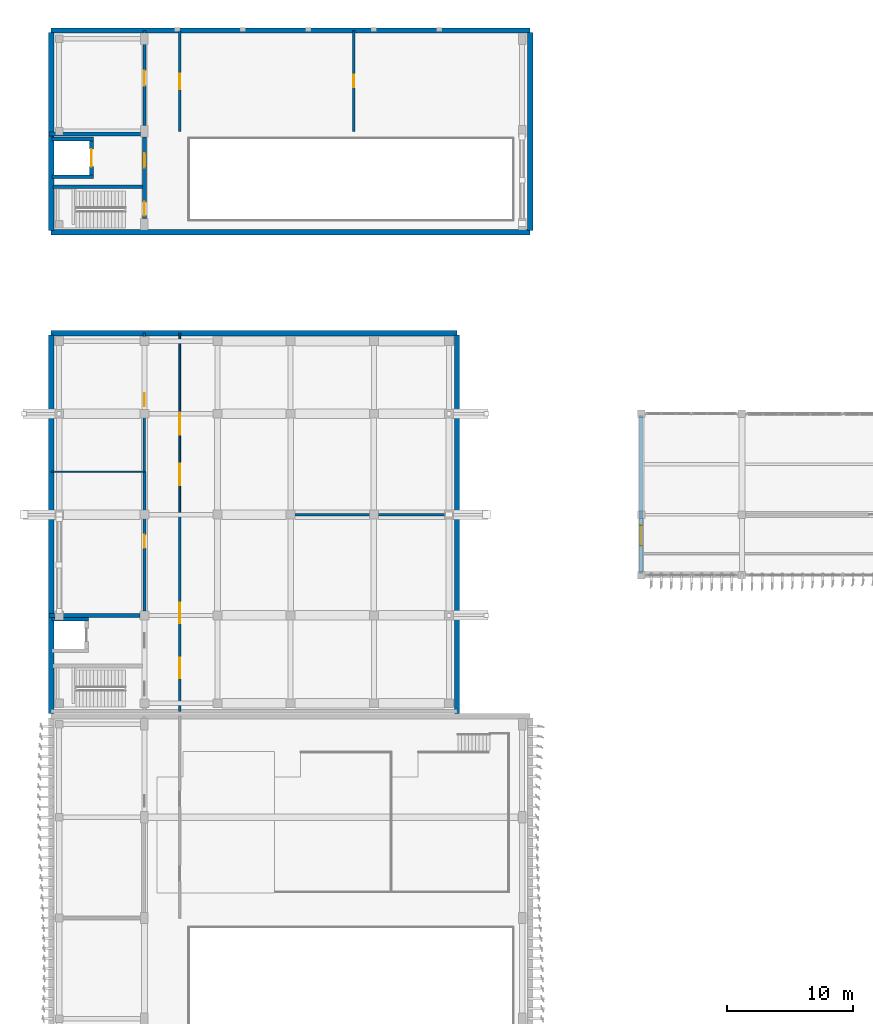
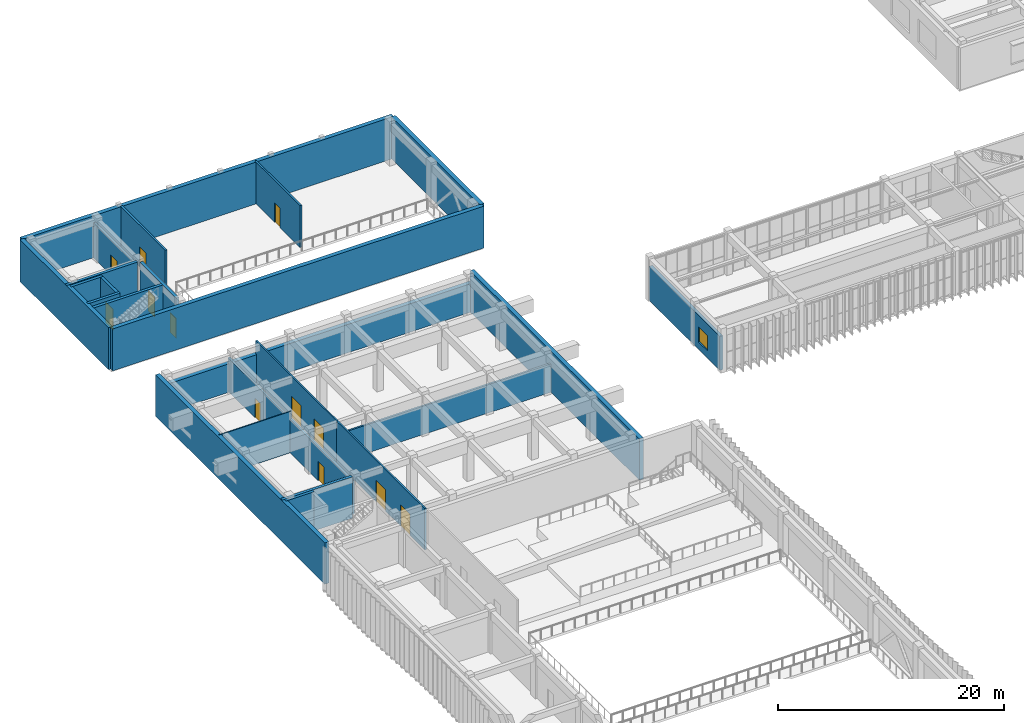
# One storey, part 40 of 64: 25 walls, 12 doors, 1 window, 13 openings.
"""IFC4 building model written with IfcOpenShell, lengths in metres."""

from ifc_helpers import new_model, si_unit, direction, frame, frame_2d, origin, place, context, subcontext, project, spatial, rectangle, extrude, material, layer, layer_set, type_object, element, fill, save


model = new_model("IFC4")

# Units and contexts
model_context = context("Model", 3, precision=1e-05, world=origin(), true_north=direction((0.0, 1.0)))
body_context = subcontext(model_context, "Body", "Model", "MODEL_VIEW")
ifc_project = project(units=[si_unit("LENGTHUNIT", "METRE"), si_unit("AREAUNIT", "SQUARE_METRE"), si_unit("VOLUMEUNIT", "CUBIC_METRE"), si_unit("PLANEANGLEUNIT", "RADIAN"), si_unit("MASSUNIT", "GRAM", prefix="KILO")], contexts=[model_context])

# Site, building, storey
site_placement = place(None, origin())
site = spatial("IfcSite", under=ifc_project, at=site_placement, CompositionType="ELEMENT")
building_placement = place(site_placement, origin())
building = spatial("IfcBuilding", under=site, at=building_placement, Name="Cinchona Park Media Centre", CompositionType="ELEMENT")
storey_placement = place(building_placement, frame((0.0, 0.0, 5.39990234375)))
storey = spatial("IfcBuildingStorey", under=building, at=storey_placement, Name="L01", CompositionType="ELEMENT", Elevation=5.39990234375)

# Walls
ifc_material_1 = material(Name="Precast concrete C40/50", Category="concrete")
ifc_layer_1 = layer(ifc_material_1, 0.425048828125)
ifc_layer_set_1 = layer_set([ifc_layer_1], Name="Precast concrete C40/50")
wall_type_1 = type_object("IfcWallType", Name="WALL-W-AC01", PredefinedType="SOLIDWALL", material=ifc_layer_set_1)
wall_1_placement = place(storey_placement, frame((8.0, 118.0, 0.0), z_axis=(0.0, 0.0, 1.0), x_axis=(1.0, 0.0, 0.0)))
element("IfcWall", 1, at=wall_1_placement, inside=storey, type_object=wall_type_1, Name="Exterior Wall W-AC01 V2 L01", PredefinedType="SOLIDWALL", context=body_context, shape_type="SweptSolid", body=[
    extrude(rectangle(XDim=38.0, YDim=0.425048828125, at=frame_2d((19.0, 0.0))), origin(), (0.0, 0.0, 1.0), 4.5400390625),
])
wall_2_placement = place(storey_placement, frame((46.0, 117.860107421875, 0.0), z_axis=(0.0, 0.0, 1.0), x_axis=(0.0, -1.0, 0.0)))
element("IfcWall", 2, at=wall_2_placement, inside=storey, type_object=wall_type_1, Name="Exterior Wall W-AC01 V2 L01", PredefinedType="SOLIDWALL", context=body_context, shape_type="SweptSolid", body=[
    extrude(rectangle(XDim=15.72021484375, YDim=0.425048828125, at=frame_2d((7.860107421875, 0.0))), origin(), (0.0, 0.0, 1.0), 4.5400390625),
])
wall_3_placement = place(storey_placement, frame((46.0, 102.0, 0.0), z_axis=(0.0, 0.0, 1.0), x_axis=(-1.0, 0.0, 0.0)))
element("IfcWall", 3, at=wall_3_placement, inside=storey, type_object=wall_type_1, Name="Exterior Wall W-AC01 V2 L01", PredefinedType="SOLIDWALL", context=body_context, shape_type="SweptSolid", body=[
    extrude(rectangle(XDim=38.0, YDim=0.425048828125, at=frame_2d((19.0, 0.0))), origin(), (0.0, 0.0, 1.0), 4.5400390625),
])
wall_4_placement = place(storey_placement, frame((8.0, 102.139892578125, 0.0), z_axis=(0.0, 0.0, 1.0), x_axis=(0.0, 1.0, 0.0)))
element("IfcWall", 4, at=wall_4_placement, inside=storey, type_object=wall_type_1, Name="Exterior Wall W-AC01 V2 L01", PredefinedType="SOLIDWALL", context=body_context, shape_type="SweptSolid", body=[
    extrude(rectangle(XDim=15.72021484375, YDim=0.425048828125, at=frame_2d((7.860107421875, 0.0))), origin(), (0.0, 0.0, 1.0), 4.5400390625),
])
wall_5_placement = place(storey_placement, frame((8.0, 94.0, 0.0), z_axis=(0.0, 0.0, 1.0), x_axis=(1.0, 0.0, 0.0)))
element("IfcWall", 5, at=wall_5_placement, inside=storey, type_object=wall_type_1, Name="Exterior Wall W-AC01 V4 L01", PredefinedType="SOLIDWALL", context=body_context, shape_type="SweptSolid", body=[
    extrude(rectangle(XDim=32.199951171875, YDim=0.425048828125, at=frame_2d((16.10009765625, 0.0))), origin(), (0.0, 0.0, 1.0), 3.0751953125),
])
for number, where, z_axis, x_axis, name in (
    (6, (40.199951171875, 93.860107421875, 0.0), (0.0, 0.0, 1.0), (0.0, -1.0, 0.0), "Exterior Wall W-AC01 V4 L01"),
    (7, (8.0, 63.818115234375, 0.0), (0.0, 0.0, 1.0), (0.0, 1.0, 0.0), "Exterior Wall W-AC01 V4 L01"),
):
    element("IfcWall", number, at=place(storey_placement, frame(where, z_axis=z_axis, x_axis=x_axis)), inside=storey, type_object=wall_type_1, Name=name, PredefinedType="SOLIDWALL", context=body_context, shape_type="SweptSolid", body=[
        extrude(rectangle(XDim=30.0419921875, YDim=0.425048828125, at=frame_2d((15.02099609375, 0.0))), origin(), (0.0, 0.0, 1.0), 4.47509765625),
    ])

# Wall, opening, door
ifc_material_2 = material(Name="Acoustic Double-Stud Gypsum Partition", Category="gypsum")
ifc_layer_2 = layer(ifc_material_2, 0.2099609375)
ifc_layer_set_2 = layer_set([ifc_layer_2], Name="Acoustic Double-Stud Gypsum Partition")
wall_type_2 = type_object("IfcWallType", Name="WALL-W-AC210", PredefinedType="PARTITIONING", material=ifc_layer_set_2)
wall_6_placement = place(storey_placement, frame((18.199951171875, 117.903076171875, 0.0), z_axis=(0.0, 0.0, 1.0), x_axis=(0.0, -1.0, 0.0)))
wall_6 = element("IfcWall", 8, at=wall_6_placement, inside=storey, type_object=wall_type_2, Name="Interior Wall W-AC210 L01", PredefinedType="PARTITIONING", context=body_context, shape_type="SweptSolid", body=[
    extrude(rectangle(XDim=7.903076171875, YDim=0.2099609375, at=frame_2d((3.95166015625, 0.0))), origin(), (0.0, 0.0, 1.0), 4.5400390625),
])
opening_1_placement = place(wall_6_placement, frame((3.342041015625, 0.0, 0.0)))
opening_1 = element("IfcOpeningElement", 9, at=opening_1_placement, cuts=wall_6, Name="Opening D234", PredefinedType="OPENING", context=body_context, shape_type="SweptSolid", body=[
    extrude(rectangle(XDim=1.219970703125, YDim=2.199951171875, at=frame_2d((0.60986328125, 1.10009765625))), frame((0.0, 0.114990234375, 0.0), z_axis=(0.0, -1.0, 0.0), x_axis=(1.0, 0.0, 0.0)), (0.0, 0.0, 1.0), 0.22998046875),
])
ifc_material_3 = material(Name="Fire-Rated Acoustic Timber-Steel Door", Category="steel")
door_type_1 = type_object("IfcDoorType", Name="DOOR-DT10", OperationType="NOTDEFINED", PredefinedType="DOOR", material=ifc_material_3)
door_1_placement = place(opening_1_placement, origin())
door_1 = element("IfcDoor", 10, at=door_1_placement, inside=storey, type_object=door_type_1, Name="Interior Door D234", OperationType="SINGLE_SWING_RIGHT", OverallHeight=2.199951171875, OverallWidth=1.219970703125, PredefinedType="DOOR", context=body_context, shape_type="SweptSolid", body=[
    extrude(rectangle(XDim=1.219970703125, YDim=2.199951171875, at=frame_2d((0.60986328125, 1.10009765625))), frame((0.0, 0.02490234375, 0.0), z_axis=(0.0, -1.0, 0.0), x_axis=(1.0, 0.0, 0.0)), (0.0, 0.0, 1.0), 0.050048828125),
])
fill(opening_1, door_1)

wall_7_placement = place(storey_placement, frame((15.39990234375, 83.0, 0.0), z_axis=(0.0, 0.0, 1.0), x_axis=(0.0, 1.0, 0.0)))
wall_7 = element("IfcWall", 11, at=wall_7_placement, inside=storey, type_object=wall_type_2, Name="Interior Wall W-AC210 L01", PredefinedType="PARTITIONING", context=body_context, shape_type="SweptSolid", body=[
    extrude(rectangle(XDim=11.0, YDim=0.2099609375, at=frame_2d((5.5, 0.0))), origin(), (0.0, 0.0, 1.0), 3.625),
])
opening_2_placement = place(wall_7_placement, frame((5.179931640625, 0.0, 0.0)))
opening_2 = element("IfcOpeningElement", 12, at=opening_2_placement, cuts=wall_7, Name="Opening D240", PredefinedType="OPENING", context=body_context, shape_type="SweptSolid", body=[
    extrude(rectangle(XDim=1.050048828125, YDim=2.14990234375, at=frame_2d((0.52490234375, 1.074951171875))), frame((0.0, 0.114990234375, 0.0), z_axis=(0.0, -1.0, 0.0), x_axis=(1.0, 0.0, 0.0)), (0.0, 0.0, 1.0), 0.22998046875),
])
ifc_material_4 = material(Name="Solid-Core Timber Acoustic Door", Category="wood")
door_type_2 = type_object("IfcDoorType", Name="DOOR-DT06", OperationType="NOTDEFINED", PredefinedType="DOOR", material=ifc_material_4)
door_2_placement = place(opening_2_placement, origin())
door_2 = element("IfcDoor", 13, at=door_2_placement, inside=storey, type_object=door_type_2, Name="Interior Door D240", OperationType="SINGLE_SWING_RIGHT", OverallHeight=2.14990234375, OverallWidth=1.050048828125, PredefinedType="DOOR", context=body_context, shape_type="SweptSolid", body=[
    extrude(rectangle(XDim=1.050048828125, YDim=2.14990234375, at=frame_2d((0.52490234375, 1.074951171875))), frame((0.0, 0.02490234375, 0.0), z_axis=(0.0, -1.0, 0.0), x_axis=(1.0, 0.0, 0.0)), (0.0, 0.0, 1.0), 0.050048828125),
])
fill(opening_2, door_2)

ifc_material_5 = material(Name="Acoustic Double-Stud Gypsum Partition", Category="gypsum")
ifc_layer_3 = layer(ifc_material_5, 0.239990234375)
ifc_layer_set_3 = layer_set([ifc_layer_3], Name="Acoustic Double-Stud Gypsum Partition")
wall_type_3 = type_object("IfcWallType", Name="WALL-W-AC240", PredefinedType="PARTITIONING", material=ifc_layer_set_3)
wall_8_placement = place(storey_placement, frame((15.39990234375, 110.451904296875, 0.0), z_axis=(0.0, 0.0, 1.0), x_axis=(0.0, 1.0, 0.0)))
wall_8 = element("IfcWall", 14, at=wall_8_placement, inside=storey, type_object=wall_type_3, Name="Interior Wall W-AC240 L01", PredefinedType="PARTITIONING", context=body_context, shape_type="SweptSolid", body=[
    extrude(rectangle(XDim=7.548095703125, YDim=0.239990234375, at=frame_2d((3.77392578125, 0.0))), origin(), (0.0, 0.0, 1.0), 3.7900390625),
])
opening_3_placement = place(wall_8_placement, frame((3.18408203125, 0.0, 0.0)))
opening_3 = element("IfcOpeningElement", 15, at=opening_3_placement, cuts=wall_8, Name="Opening D233", PredefinedType="OPENING", context=body_context, shape_type="SweptSolid", body=[
    extrude(rectangle(XDim=1.179931640625, YDim=2.14990234375, at=frame_2d((0.58984375, 1.074951171875))), frame((0.0, 0.1298828125, 0.0), z_axis=(0.0, -1.0, 0.0), x_axis=(1.0, 0.0, 0.0)), (0.0, 0.0, 1.0), 0.260009765625),
])
ifc_material_6 = material(Name="Fire-Rated Acoustic Timber-Steel Door", Category="steel")
door_type_3 = type_object("IfcDoorType", Name="DOOR-DT09", OperationType="NOTDEFINED", PredefinedType="DOOR", material=ifc_material_6)
door_3_placement = place(opening_3_placement, origin())
door_3 = element("IfcDoor", 16, at=door_3_placement, inside=storey, type_object=door_type_3, Name="Interior Door D233", OperationType="SINGLE_SWING_LEFT", OverallHeight=2.14990234375, OverallWidth=1.179931640625, PredefinedType="DOOR", context=body_context, shape_type="SweptSolid", body=[
    extrude(rectangle(XDim=1.179931640625, YDim=2.14990234375, at=frame_2d((0.58984375, 1.074951171875))), frame((0.0, 0.02490234375, 0.0), z_axis=(0.0, -1.0, 0.0), x_axis=(1.0, 0.0, 0.0)), (0.0, 0.0, 1.0), 0.050048828125),
])
fill(opening_3, door_3)

wall_9_placement = place(storey_placement, frame((15.39990234375, 71.951904296875, 0.0), z_axis=(0.0, 0.0, 1.0), x_axis=(0.0, 1.0, 0.0)))
wall_9 = element("IfcWall", 17, at=wall_9_placement, inside=storey, type_object=wall_type_3, Name="Interior Wall W-AC240 L01", PredefinedType="PARTITIONING", context=body_context, shape_type="SweptSolid", body=[
    extrude(rectangle(XDim=11.048095703125, YDim=0.239990234375, at=frame_2d((5.52392578125, 0.0))), origin(), (0.0, 0.0, 1.0), 3.625),
])
opening_4_placement = place(wall_9_placement, frame((5.013916015625, 0.0, 0.0)))
opening_4 = element("IfcOpeningElement", 18, at=opening_4_placement, cuts=wall_9, Name="Opening D239", PredefinedType="OPENING", context=body_context, shape_type="SweptSolid", body=[
    extrude(rectangle(XDim=1.02001953125, YDim=2.10009765625, at=frame_2d((0.510009765625, 1.050048828125))), frame((0.0, 0.1298828125, 0.0), z_axis=(0.0, -1.0, 0.0), x_axis=(1.0, 0.0, 0.0)), (0.0, 0.0, 1.0), 0.260009765625),
])
ifc_material_7 = material(Name="Solid-Core Timber Acoustic Door", Category="wood")
door_type_4 = type_object("IfcDoorType", Name="DOOR-DT05", OperationType="NOTDEFINED", PredefinedType="DOOR", material=ifc_material_7)
door_4_placement = place(opening_4_placement, origin())
door_4 = element("IfcDoor", 19, at=door_4_placement, inside=storey, type_object=door_type_4, Name="Interior Door D239", OperationType="SINGLE_SWING_LEFT", OverallHeight=2.10009765625, OverallWidth=1.02001953125, PredefinedType="DOOR", context=body_context, shape_type="SweptSolid", body=[
    extrude(rectangle(XDim=1.02001953125, YDim=2.10009765625, at=frame_2d((0.510009765625, 1.050048828125))), frame((0.0, 0.02490234375, 0.0), z_axis=(0.0, -1.0, 0.0), x_axis=(1.0, 0.0, 0.0)), (0.0, 0.0, 1.0), 0.050048828125),
])
fill(opening_4, door_4)

# Walls
ifc_material_8 = material(Name="Concrete C40/50", Category="concrete")
ifc_layer_4 = layer(ifc_material_8, 0.300048828125)
ifc_layer_set_4 = layer_set([ifc_layer_4], Name="Concrete C40/50")
wall_type_4 = type_object("IfcWallType", Name="WALL-W-CR300", PredefinedType="SHEAR", material=ifc_layer_set_4)
wall_10_placement = place(storey_placement, frame((7.85009765625, 71.60009765625, 0.0), z_axis=(0.0, 0.0, 1.0), x_axis=(1.0, 0.0, 0.0)))
element("IfcWall", 20, at=wall_10_placement, inside=storey, type_object=wall_type_4, Name="Core Shear Wall W-CR300 L01", PredefinedType="SHEAR", context=body_context, shape_type="SweptSolid", body=[
    extrude(rectangle(XDim=7.197998046875, YDim=0.300048828125, at=frame_2d((3.59912109375, 0.0))), origin(), (0.0, 0.0, 1.0), 4.47509765625),
])
wall_11_placement = place(storey_placement, frame((7.85009765625, 109.800048828125, 0.0), z_axis=(0.0, 0.0, 1.0), x_axis=(1.0, 0.0, 0.0)))
element("IfcWall", 21, at=wall_11_placement, inside=storey, type_object=wall_type_4, Name="Core Shear Wall W-CR300 L01", PredefinedType="SHEAR", context=body_context, shape_type="SweptSolid", body=[
    extrude(rectangle(XDim=7.247802734375, YDim=0.300048828125, at=frame_2d((3.6240234375, 0.0))), origin(), (0.0, 0.0, 1.0), 4.5400390625),
])

# Wall, openings, doors
wall_12_placement = place(storey_placement, frame((15.39990234375, 103.092041015625, 0.0), z_axis=(0.0, 0.0, 1.0), x_axis=(0.0, 1.0, 0.0)))
wall_12 = element("IfcWall", 22, at=wall_12_placement, inside=storey, type_object=wall_type_4, Name="Core Shear Wall W-CR300 L01", PredefinedType="SHEAR", context=body_context, shape_type="SweptSolid", body=[
    extrude(rectangle(XDim=6.4560546875, YDim=0.300048828125, at=frame_2d((3.22802734375, 0.0))), origin(), (0.0, 0.0, 1.0), 4.5400390625),
])
opening_5_placement = place(wall_12_placement, frame((0.219970703125, 0.0, 0.0)))
opening_5 = element("IfcOpeningElement", 23, at=opening_5_placement, cuts=wall_12, Name="Opening D066", PredefinedType="OPENING", context=body_context, shape_type="SweptSolid", body=[
    extrude(rectangle(XDim=1.10009765625, YDim=2.14990234375, at=frame_2d((0.550048828125, 1.074951171875))), frame((0.0, 0.159912109375, 0.0), z_axis=(0.0, -1.0, 0.0), x_axis=(1.0, 0.0, 0.0)), (0.0, 0.0, 1.0), 0.320068359375),
])
opening_6_placement = place(wall_12_placement, frame((4.032958984375, 0.0, 0.0)))
opening_6 = element("IfcOpeningElement", 24, at=opening_6_placement, cuts=wall_12, Name="Opening D067", PredefinedType="OPENING", context=body_context, shape_type="SweptSolid", body=[
    extrude(rectangle(XDim=1.14990234375, YDim=2.199951171875, at=frame_2d((0.574951171875, 1.10009765625))), frame((0.0, 0.159912109375, 0.0), z_axis=(0.0, -1.0, 0.0), x_axis=(1.0, 0.0, 0.0)), (0.0, 0.0, 1.0), 0.320068359375),
])
ifc_material_9 = material(Name="Insulated Fire-Rated Steel Door", Category="steel")
door_type_5 = type_object("IfcDoorType", Name="DOOR-DT-FF", OperationType="NOTDEFINED", PredefinedType="DOOR", material=ifc_material_9)
door_5_placement = place(opening_6_placement, origin())
door_5 = element("IfcDoor", 25, at=door_5_placement, inside=storey, type_object=door_type_5, Name="Interior Door D067", OperationType="SINGLE_SWING_LEFT", OverallHeight=2.199951171875, OverallWidth=1.14990234375, PredefinedType="DOOR", context=body_context, shape_type="SweptSolid", body=[
    extrude(rectangle(XDim=1.14990234375, YDim=2.199951171875, at=frame_2d((0.574951171875, 1.10009765625))), frame((0.0, 0.02490234375, 0.0), z_axis=(0.0, -1.0, 0.0), x_axis=(1.0, 0.0, 0.0)), (0.0, 0.0, 1.0), 0.050048828125),
])
fill(opening_6, door_5)
ifc_material_10 = material(Name="Insulated Fire-Rated Steel Door", Category="steel")
door_type_6 = type_object("IfcDoorType", Name="DOOR-DT-ST", OperationType="NOTDEFINED", PredefinedType="DOOR", material=ifc_material_10)
door_6_placement = place(opening_5_placement, origin())
door_6 = element("IfcDoor", 26, at=door_6_placement, inside=storey, type_object=door_type_6, Name="Interior Door D066", OperationType="SINGLE_SWING_RIGHT", OverallHeight=2.14990234375, OverallWidth=1.10009765625, PredefinedType="DOOR", context=body_context, shape_type="SweptSolid", body=[
    extrude(rectangle(XDim=1.10009765625, YDim=2.14990234375, at=frame_2d((0.550048828125, 1.074951171875))), frame((0.0, 0.02490234375, 0.0), z_axis=(0.0, -1.0, 0.0), x_axis=(1.0, 0.0, 0.0)), (0.0, 0.0, 1.0), 0.050048828125),
])
fill(opening_5, door_6)

# Wall
wall_13_placement = place(storey_placement, frame((8.14990234375, 105.60009765625, 0.0), z_axis=(0.0, 0.0, 1.0), x_axis=(1.0, 0.0, 0.0)))
element("IfcWall", 27, at=wall_13_placement, inside=storey, type_object=wall_type_4, Name="Core Shear Wall W-CR300 L01", PredefinedType="SHEAR", context=body_context, shape_type="SweptSolid", body=[
    extrude(rectangle(XDim=7.10009765625, YDim=0.300048828125, at=frame_2d((3.550048828125, 0.0))), origin(), (0.0, 0.0, 1.0), 4.5400390625),
])

# Wall, opening, window
ifc_material_11 = material(Name="Precast concrete C40/50", Category="concrete")
ifc_layer_5 = layer(ifc_material_11, 0.320068359375)
ifc_layer_set_5 = layer_set([ifc_layer_5], Name="Precast concrete C40/50")
wall_type_5 = type_object("IfcWallType", Name="WALL-W-EX02", PredefinedType="SOLIDWALL", material=ifc_layer_set_5)
wall_14_placement = place(storey_placement, frame((54.800048828125, 74.93994140625, 0.0), z_axis=(0.0, 0.0, 1.0), x_axis=(0.0, 1.0, 0.0)))
wall_14 = element("IfcWall", 28, at=wall_14_placement, inside=storey, type_object=wall_type_5, Name="Exterior Wall W-EX02 V5 L01", PredefinedType="SOLIDWALL", context=body_context, shape_type="SweptSolid", body=[
    extrude(rectangle(XDim=12.52001953125, YDim=0.320068359375, at=frame_2d((6.260009765625, 0.0))), origin(), (0.0, 0.0, 1.0), 3.690185546875),
])
opening_7_placement = place(wall_14_placement, frame((2.199951171875, 0.0, 0.800048828125)))
opening_7 = element("IfcOpeningElement", 29, at=opening_7_placement, cuts=wall_14, Name="Opening WN25", PredefinedType="OPENING", context=body_context, shape_type="SweptSolid", body=[
    extrude(rectangle(XDim=1.60009765625, YDim=1.64990234375, at=frame_2d((0.800048828125, 0.824951171875))), frame((0.0, 0.169921875, 0.0), z_axis=(0.0, -1.0, 0.0), x_axis=(1.0, 0.0, 0.0)), (0.0, 0.0, 1.0), 0.340087890625),
])
ifc_material_12 = material(Name="Thermally Broken Aluminium Solar-Control Window", Category="aluminium")
window_type = type_object("IfcWindowType", Name="WIN-WN25", PartitioningType="SINGLE_PANEL", PredefinedType="WINDOW", material=ifc_material_12)
window_placement = place(opening_7_placement, origin())
window = element("IfcWindow", 30, at=window_placement, inside=storey, type_object=window_type, Name="Window WN25 L01", OverallHeight=1.64990234375, OverallWidth=1.60009765625, PartitioningType="SINGLE_PANEL", PredefinedType="WINDOW", context=body_context, shape_type="SweptSolid", body=[
    extrude(rectangle(XDim=1.60009765625, YDim=1.64990234375, at=frame_2d((0.800048828125, 0.824951171875))), frame((0.0, 0.030029296875, 0.0), z_axis=(0.0, -1.0, 0.0), x_axis=(1.0, 0.0, 0.0)), (0.0, 0.0, 1.0), 0.06005859375),
])
fill(opening_7, window)

# Wall
ifc_material_13 = material(Name="Gypsum Metal-Stud Partition", Category="gypsum")
ifc_layer_6 = layer(ifc_material_13, 0.10009765625)
ifc_layer_set_6 = layer_set([ifc_layer_6], Name="Gypsum Metal-Stud Partition")
wall_type_6 = type_object("IfcWallType", Name="WALL-W-PT100", PredefinedType="PARTITIONING", material=ifc_layer_set_6)
wall_15_placement = place(storey_placement, frame((8.0, 83.0, 0.0), z_axis=(0.0, 0.0, 1.0), x_axis=(1.0, 0.0, 0.0)))
element("IfcWall", 31, at=wall_15_placement, inside=storey, type_object=wall_type_6, Name="Interior Wall W-PT100 L01", PredefinedType="PARTITIONING", context=body_context, shape_type="SweptSolid", body=[
    extrude(rectangle(XDim=7.39990234375, YDim=0.10009765625, at=frame_2d((3.699951171875, 0.0))), origin(), (0.0, 0.0, 1.0), 4.47509765625),
])

# Wall, openings, doors
ifc_material_14 = material(Name="Fire-Rated Gypsum Stud Partition", Category="gypsum")
ifc_layer_7 = layer(ifc_material_14, 0.14990234375)
ifc_layer_set_7 = layer_set([ifc_layer_7], Name="Fire-Rated Gypsum Stud Partition")
wall_type_7 = type_object("IfcWallType", Name="WALL-W-PT150", PredefinedType="PARTITIONING", material=ifc_layer_set_7)
wall_16_placement = place(storey_placement, frame((18.199951171875, 94.0, 0.0), z_axis=(0.0, 0.0, 1.0), x_axis=(0.0, -1.0, 0.0)))
wall_16 = element("IfcWall", 32, at=wall_16_placement, inside=storey, type_object=wall_type_7, Name="Interior Wall W-PT150 L01", PredefinedType="PARTITIONING", context=body_context, shape_type="SweptSolid", body=[
    extrude(rectangle(XDim=14.39990234375, YDim=0.14990234375, at=frame_2d((7.199951171875, 0.0))), origin(), (0.0, 0.0, 1.0), 4.47509765625),
])
opening_8_placement = place(wall_16_placement, frame((6.35009765625, 0.0, 0.0)))
opening_8 = element("IfcOpeningElement", 33, at=opening_8_placement, cuts=wall_16, Name="Opening D237", PredefinedType="OPENING", context=body_context, shape_type="SweptSolid", body=[
    extrude(rectangle(XDim=1.699951171875, YDim=2.300048828125, at=frame_2d((0.85009765625, 1.14990234375))), frame((0.0, 0.0849609375, 0.0), z_axis=(0.0, -1.0, 0.0), x_axis=(1.0, 0.0, 0.0)), (0.0, 0.0, 1.0), 0.169921875),
])
opening_9_placement = place(wall_16_placement, frame((10.382080078125, 0.0, 0.0)))
opening_9 = element("IfcOpeningElement", 34, at=opening_9_placement, cuts=wall_16, Name="Opening D238", PredefinedType="OPENING", context=body_context, shape_type="SweptSolid", body=[
    extrude(rectangle(XDim=1.699951171875, YDim=2.300048828125, at=frame_2d((0.85009765625, 1.14990234375))), frame((0.0, 0.0849609375, 0.0), z_axis=(0.0, -1.0, 0.0), x_axis=(1.0, 0.0, 0.0)), (0.0, 0.0, 1.0), 0.169921875),
])
ifc_material_15 = material(Name="Fire-Rated Acoustic Timber-Steel Door", Category="steel")
door_type_7 = type_object("IfcDoorType", Name="DOOR-DT19", OperationType="NOTDEFINED", PredefinedType="DOOR", material=ifc_material_15)
door_7_placement = place(opening_8_placement, origin())
door_7 = element("IfcDoor", 35, at=door_7_placement, inside=storey, type_object=door_type_7, Name="Interior Door D237", OperationType="SINGLE_SWING_LEFT", OverallHeight=2.300048828125, OverallWidth=1.699951171875, PredefinedType="DOOR", context=body_context, shape_type="SweptSolid", body=[
    extrude(rectangle(XDim=1.699951171875, YDim=2.300048828125, at=frame_2d((0.85009765625, 1.14990234375))), frame((0.0, 0.02490234375, 0.0), z_axis=(0.0, -1.0, 0.0), x_axis=(1.0, 0.0, 0.0)), (0.0, 0.0, 1.0), 0.050048828125),
])
fill(opening_8, door_7)
door_8_placement = place(opening_9_placement, origin())
door_8 = element("IfcDoor", 36, at=door_8_placement, inside=storey, type_object=door_type_7, Name="Interior Door D238", OperationType="SINGLE_SWING_RIGHT", OverallHeight=2.300048828125, OverallWidth=1.699951171875, PredefinedType="DOOR", context=body_context, shape_type="SweptSolid", body=[
    extrude(rectangle(XDim=1.699951171875, YDim=2.300048828125, at=frame_2d((0.85009765625, 1.14990234375))), frame((0.0, 0.02490234375, 0.0), z_axis=(0.0, -1.0, 0.0), x_axis=(1.0, 0.0, 0.0)), (0.0, 0.0, 1.0), 0.050048828125),
])
fill(opening_9, door_8)

ifc_material_16 = material(Name="Fire-Rated Gypsum Stud Partition", Category="gypsum")
ifc_layer_8 = layer(ifc_material_16, 0.1650390625)
ifc_layer_set_8 = layer_set([ifc_layer_8], Name="Fire-Rated Gypsum Stud Partition")
wall_type_8 = type_object("IfcWallType", Name="WALL-W-PT165", PredefinedType="PARTITIONING", material=ifc_layer_set_8)
wall_17_placement = place(storey_placement, frame((18.199951171875, 79.60009765625, 0.0), z_axis=(0.0, 0.0, 1.0), x_axis=(0.0, -1.0, 0.0)))
wall_17 = element("IfcWall", 37, at=wall_17_placement, inside=storey, type_object=wall_type_8, Name="Interior Wall W-PT165 L01", PredefinedType="PARTITIONING", context=body_context, shape_type="SweptSolid", body=[
    extrude(rectangle(XDim=15.60009765625, YDim=0.1650390625, at=frame_2d((7.800048828125, 0.0))), origin(), (0.0, 0.0, 1.0), 4.47509765625),
])
opening_10_placement = place(wall_17_placement, frame((6.97509765625, 0.0, 0.0)))
opening_10 = element("IfcOpeningElement", 38, at=opening_10_placement, cuts=wall_17, Name="Opening D235", PredefinedType="OPENING", context=body_context, shape_type="SweptSolid", body=[
    extrude(rectangle(XDim=1.64990234375, YDim=2.300048828125, at=frame_2d((0.824951171875, 1.14990234375))), frame((0.0, 0.092529296875, 0.0), z_axis=(0.0, -1.0, 0.0), x_axis=(1.0, 0.0, 0.0)), (0.0, 0.0, 1.0), 0.18505859375),
])
opening_11_placement = place(wall_17_placement, frame((11.343017578125, 0.0, 0.0)))
opening_11 = element("IfcOpeningElement", 39, at=opening_11_placement, cuts=wall_17, Name="Opening D236", PredefinedType="OPENING", context=body_context, shape_type="SweptSolid", body=[
    extrude(rectangle(XDim=1.64990234375, YDim=2.300048828125, at=frame_2d((0.824951171875, 1.14990234375))), frame((0.0, 0.092529296875, 0.0), z_axis=(0.0, -1.0, 0.0), x_axis=(1.0, 0.0, 0.0)), (0.0, 0.0, 1.0), 0.18505859375),
])
ifc_material_17 = material(Name="Fire-Rated Acoustic Timber-Steel Door", Category="steel")
door_type_8 = type_object("IfcDoorType", Name="DOOR-DT18", OperationType="NOTDEFINED", PredefinedType="DOOR", material=ifc_material_17)
door_9_placement = place(opening_10_placement, origin())
door_9 = element("IfcDoor", 40, at=door_9_placement, inside=storey, type_object=door_type_8, Name="Interior Door D235", OperationType="SINGLE_SWING_LEFT", OverallHeight=2.300048828125, OverallWidth=1.64990234375, PredefinedType="DOOR", context=body_context, shape_type="SweptSolid", body=[
    extrude(rectangle(XDim=1.64990234375, YDim=2.300048828125, at=frame_2d((0.824951171875, 1.14990234375))), frame((0.0, 0.02490234375, 0.0), z_axis=(0.0, -1.0, 0.0), x_axis=(1.0, 0.0, 0.0)), (0.0, 0.0, 1.0), 0.050048828125),
])
fill(opening_10, door_9)
door_10_placement = place(opening_11_placement, origin())
door_10 = element("IfcDoor", 41, at=door_10_placement, inside=storey, type_object=door_type_8, Name="Interior Door D236", OperationType="SINGLE_SWING_RIGHT", OverallHeight=2.300048828125, OverallWidth=1.64990234375, PredefinedType="DOOR", context=body_context, shape_type="SweptSolid", body=[
    extrude(rectangle(XDim=1.64990234375, YDim=2.300048828125, at=frame_2d((0.824951171875, 1.14990234375))), frame((0.0, 0.02490234375, 0.0), z_axis=(0.0, -1.0, 0.0), x_axis=(1.0, 0.0, 0.0)), (0.0, 0.0, 1.0), 0.050048828125),
])
fill(opening_11, door_10)

# Wall, opening, door
ifc_material_18 = material(Name="Fire-Rated Gypsum Stud Partition", Category="gypsum")
ifc_layer_9 = layer(ifc_material_18, 0.18994140625)
ifc_layer_set_9 = layer_set([ifc_layer_9], Name="Fire-Rated Gypsum Stud Partition")
wall_type_9 = type_object("IfcWallType", Name="WALL-W-PT190", PredefinedType="PARTITIONING", material=ifc_layer_set_9)
wall_18_placement = place(storey_placement, frame((32.0, 118.0, 0.0), z_axis=(0.0, 0.0, 1.0), x_axis=(0.0, -1.0, 0.0)))
wall_18 = element("IfcWall", 42, at=wall_18_placement, inside=storey, type_object=wall_type_9, Name="Interior Wall W-PT190 L01", PredefinedType="PARTITIONING", context=body_context, shape_type="SweptSolid", body=[
    extrude(rectangle(XDim=8.0, YDim=0.18994140625, at=frame_2d((4.0, 0.0))), origin(), (0.0, 0.0, 1.0), 4.5400390625),
])
opening_12_placement = place(wall_18_placement, frame((3.510009765625, 0.0, 0.0)))
opening_12 = element("IfcOpeningElement", 43, at=opening_12_placement, cuts=wall_18, Name="Opening D260", PredefinedType="OPENING", context=body_context, shape_type="SweptSolid", body=[
    extrude(rectangle(XDim=0.97998046875, YDim=2.10009765625, at=frame_2d((0.489990234375, 1.050048828125))), frame((0.0, 0.10498046875, 0.0), z_axis=(0.0, -1.0, 0.0), x_axis=(1.0, 0.0, 0.0)), (0.0, 0.0, 1.0), 0.2099609375),
])
ifc_material_19 = material(Name="Fire-Rated Acoustic Timber-Steel Door", Category="steel")
door_type_9 = type_object("IfcDoorType", Name="DOOR-DT03", OperationType="NOTDEFINED", PredefinedType="DOOR", material=ifc_material_19)
door_11_placement = place(opening_12_placement, origin())
door_11 = element("IfcDoor", 44, at=door_11_placement, inside=storey, type_object=door_type_9, Name="Interior Door D260", OperationType="SINGLE_SWING_RIGHT", OverallHeight=2.10009765625, OverallWidth=0.97998046875, PredefinedType="DOOR", context=body_context, shape_type="SweptSolid", body=[
    extrude(rectangle(XDim=0.97998046875, YDim=2.10009765625, at=frame_2d((0.489990234375, 1.050048828125))), frame((0.0, 0.02490234375, 0.0), z_axis=(0.0, -1.0, 0.0), x_axis=(1.0, 0.0, 0.0)), (0.0, 0.0, 1.0), 0.050048828125),
])
fill(opening_12, door_11)

# Walls
wall_19_placement = place(storey_placement, frame((18.199951171875, 79.60009765625, 0.0), z_axis=(0.0, 0.0, 1.0), x_axis=(1.0, 0.0, 0.0)))
element("IfcWall", 45, at=wall_19_placement, inside=storey, type_object=wall_type_9, Name="Interior Wall W-PT190 L01", PredefinedType="PARTITIONING", context=body_context, shape_type="SweptSolid", body=[
    extrude(rectangle(XDim=22.0, YDim=0.18994140625, at=frame_2d((11.0, 0.0))), origin(), (0.0, 0.0, 1.0), 3.0751953125),
])
ifc_material_20 = material(Name="Concrete C40/50", Category="concrete")
ifc_layer_10 = layer(ifc_material_20, 0.2900390625)
ifc_layer_set_10 = layer_set([ifc_layer_10], Name="Concrete C40/50")
wall_type_10 = type_object("IfcWallType", Name="WALL-W-SH290", PredefinedType="SHEAR", material=ifc_layer_set_10)
wall_20_placement = place(storey_placement, frame((8.054931640625, 71.300048828125, 0.0), z_axis=(0.0, 0.0, 1.0), x_axis=(1.0, 0.0, 0.0)))
element("IfcWall", 46, at=wall_20_placement, inside=storey, type_object=wall_type_10, Name="Core Shear Wall W-SH290 L01", PredefinedType="SHEAR", context=body_context, shape_type="SweptSolid", body=[
    extrude(rectangle(XDim=2.89013671875, YDim=0.2900390625, at=frame_2d((1.445068359375, 0.0))), origin(), (0.0, 0.0, 1.0), 4.47509765625),
])
for number, where, z_axis, x_axis, name in (
    (47, (8.054931640625, 106.39990234375, 0.0), (0.0, 0.0, 1.0), (1.0, 0.0, 0.0), "Core Shear Wall W-SH290 L01"),
    (48, (8.054931640625, 109.39990234375, 0.0), (0.0, 0.0, 1.0), (1.0, 0.0, 0.0), "Core Shear Wall W-SH290 L01"),
):
    element("IfcWall", number, at=place(storey_placement, frame(where, z_axis=z_axis, x_axis=x_axis)), inside=storey, type_object=wall_type_10, Name=name, PredefinedType="SHEAR", context=body_context, shape_type="SweptSolid", body=[
        extrude(rectangle(XDim=3.2900390625, YDim=0.2900390625, at=frame_2d((1.64501953125, 0.0))), origin(), (0.0, 0.0, 1.0), 4.5400390625),
    ])

# Wall, opening, door
wall_21_placement = place(storey_placement, frame((11.199951171875, 106.544921875, 0.0), z_axis=(0.0, 0.0, 1.0), x_axis=(0.0, 1.0, 0.0)))
wall_21 = element("IfcWall", 49, at=wall_21_placement, inside=storey, type_object=wall_type_10, Name="Core Shear Wall W-SH290 L01", PredefinedType="SHEAR", context=body_context, shape_type="SweptSolid", body=[
    extrude(rectangle(XDim=2.7099609375, YDim=0.2900390625, at=frame_2d((1.35498046875, 0.0))), origin(), (0.0, 0.0, 1.0), 4.5400390625),
])
opening_13_placement = place(wall_21_placement, frame((0.655029296875, 0.0, 0.0)))
opening_13 = element("IfcOpeningElement", 50, at=opening_13_placement, cuts=wall_21, Name="Opening LD18", PredefinedType="OPENING", context=body_context, shape_type="SweptSolid", body=[
    extrude(rectangle(XDim=1.39990234375, YDim=2.25, at=frame_2d((0.699951171875, 1.125))), frame((0.0, 0.155029296875, 0.0), z_axis=(0.0, -1.0, 0.0), x_axis=(1.0, 0.0, 0.0)), (0.0, 0.0, 1.0), 0.31005859375),
])
ifc_material_21 = material(Name="Stainless Steel Sliding Lift Landing Door", Category="steel")
door_type_10 = type_object("IfcDoorType", Name="DOOR-DT-LD3", OperationType="NOTDEFINED", PredefinedType="DOOR", material=ifc_material_21)
door_12_placement = place(opening_13_placement, origin())
door_12 = element("IfcDoor", 51, at=door_12_placement, inside=storey, type_object=door_type_10, Name="Lift Landing Door LD18", OperationType="SLIDING_TO_LEFT", OverallHeight=2.25, OverallWidth=1.39990234375, PredefinedType="DOOR", context=body_context, shape_type="SweptSolid", body=[
    extrude(rectangle(XDim=1.39990234375, YDim=2.25, at=frame_2d((0.699951171875, 1.125))), frame((0.0, 0.02490234375, 0.0), z_axis=(0.0, -1.0, 0.0), x_axis=(1.0, 0.0, 0.0)), (0.0, 0.0, 1.0), 0.050048828125),
])
fill(opening_13, door_12)

save(model, "model.ifc")
